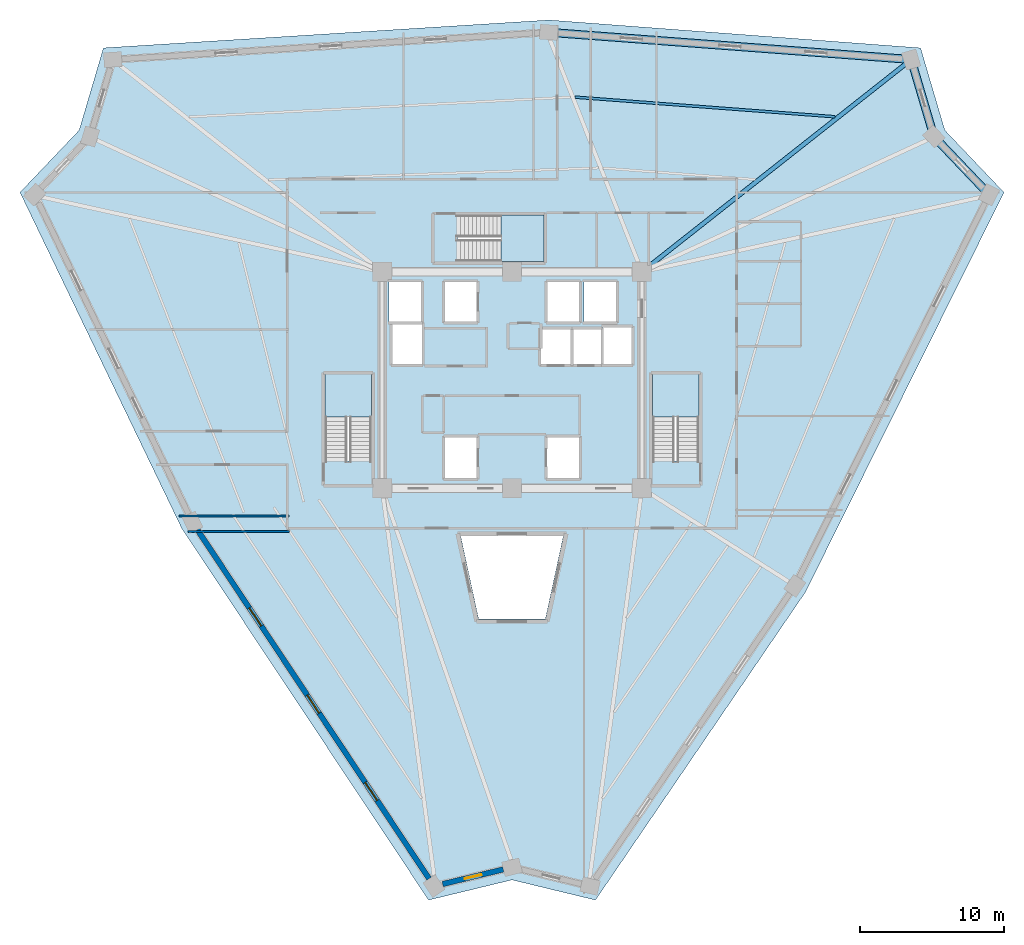
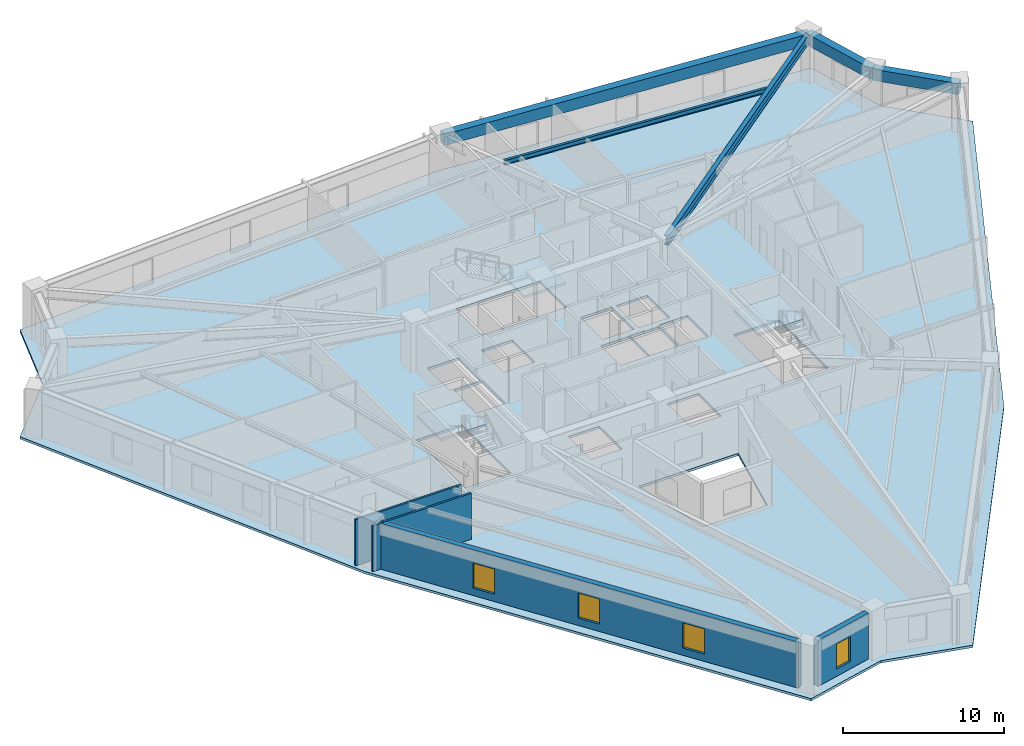
# One storey, part 2 of 9: 5 beams, 4 slabs, 4 walls, 4 windows, 4 openings, 3 elements without a shape of their own.
"""IFC4 building model written with IfcOpenShell, lengths in metres."""

from ifc_helpers import new_model, si_unit, direction, frame, frame_2d, origin, origin_2d, place, context, subcontext, project, spatial, polyline, rectangle, i_section, outline, extrude, source, transform, mapped, material, layer, layer_set, material_profile, profile_set, type_object, element, fill, aggregate, save


model = new_model("IFC4")

# Units and contexts
model_context = context("Model", 3, precision=1e-05, world=origin(), true_north=direction((0.0, 1.0)))
body_context = subcontext(model_context, "Body", "Model", "MODEL_VIEW")
ifc_project = project(units=[si_unit("LENGTHUNIT", "METRE"), si_unit("AREAUNIT", "SQUARE_METRE"), si_unit("VOLUMEUNIT", "CUBIC_METRE"), si_unit("PLANEANGLEUNIT", "RADIAN"), si_unit("MASSUNIT", "GRAM", prefix="KILO")], contexts=[model_context])

# Site, building, storey
site_placement = place(None, origin())
site = spatial("IfcSite", under=ifc_project, at=site_placement, CompositionType="ELEMENT")
building_placement = place(site_placement, origin())
building = spatial("IfcBuilding", under=site, at=building_placement, Name="Liaohun Quay Tower", CompositionType="ELEMENT")
storey_placement = place(building_placement, frame((0.0, 0.0, 228.0)))
storey = spatial("IfcBuildingStorey", under=building, at=storey_placement, Name="L59", CompositionType="ELEMENT", Elevation=228.0)

# Beams
ifc_material_1 = material(Name="Precast concrete C50", Category="concrete")
ifc_material_profile_1 = material_profile(ifc_material_1, rectangle(XDim=0.550048828125, YDim=0.85009765625, at=origin_2d()), Name="RC550x850")
ifc_profile_set_1 = profile_set([ifc_material_profile_1], Name="Precast concrete C50")
beam_type_1 = type_object("IfcBeamType", Name="BM-SPD-Z3", PredefinedType="SPANDREL", material=ifc_profile_set_1)
shared_shape_1 = source(origin(), body_context, "Body", "SweptSolid", [
    extrude(rectangle(XDim=0.550048828125, YDim=0.85009765625, at=origin_2d()), origin(), (0.0, 0.0, 1.0), 25.177490234375),
])
beam_1_placement = place(storey_placement, frame((62.5419921875, 78.091064453125, 3.044921875), z_axis=(0.997196307848, -0.074829964679, 0.0), x_axis=(0.074829964679, 0.997196307848, 0.0)))
element("IfcBeam", 1, at=beam_1_placement, inside=storey, type_object=beam_type_1, Name="L59 Precast Spandrel Beam PC06-PC07", PredefinedType="SPANDREL", context=body_context, shape_type="MappedRepresentation", body=[
    mapped(shared_shape_1, transform((0.0, 0.0, 0.0), x_axis=(1.0, 0.0, 0.0), y_axis=(0.0, 1.0, 0.0), z_axis=(0.0, 0.0, 1.0), scale=1.0)),
])
shared_shape_2 = source(origin(), body_context, "Body", "SweptSolid", [
    extrude(rectangle(XDim=0.550048828125, YDim=0.85009765625, at=origin_2d()), origin(), (0.0, 0.0, 1.0), 5.56298828125),
])
beam_2_placement = place(storey_placement, frame((87.64892578125, 76.20703125, 3.044921875), z_axis=(0.282762654748, -0.959189908767, 0.0), x_axis=(0.959189908767, 0.282762654748, 0.0)))
element("IfcBeam", 2, at=beam_2_placement, inside=storey, type_object=beam_type_1, Name="L59 Precast Spandrel Beam PC07-PC08", PredefinedType="SPANDREL", context=body_context, shape_type="MappedRepresentation", body=[
    mapped(shared_shape_2, transform((0.0, 0.0, 0.0), x_axis=(1.0, 0.0, 0.0), y_axis=(0.0, 1.0, 0.0), z_axis=(0.0, 0.0, 1.0), scale=1.0)),
])
shared_shape_3 = source(origin(), body_context, "Body", "SweptSolid", [
    extrude(rectangle(XDim=0.550048828125, YDim=0.85009765625, at=origin_2d()), origin(), (0.0, 0.0, 1.0), 5.555419921875),
])
beam_3_placement = place(storey_placement, frame((89.221923828125, 70.87109375, 3.044921875), z_axis=(0.68924246321, -0.724530763259, 0.0), x_axis=(0.724530763259, 0.68924246321, 0.0)))
element("IfcBeam", 3, at=beam_3_placement, inside=storey, type_object=beam_type_1, Name="L59 Precast Spandrel Beam PC08-PC09", PredefinedType="SPANDREL", context=body_context, shape_type="MappedRepresentation", body=[
    mapped(shared_shape_3, transform((0.0, 0.0, 0.0), x_axis=(1.0, 0.0, 0.0), y_axis=(0.0, 1.0, 0.0), z_axis=(0.0, 0.0, 1.0), scale=1.0)),
])
ifc_material_2 = material(Name="Steel Q355D", Category="steel")
ifc_material_profile_2 = material_profile(ifc_material_2, i_section(OverallWidth=0.300048828125, OverallDepth=0.699951171875, WebThickness=0.012939453125, FlangeThickness=0.02392578125, at=origin_2d()), Name="HN700x300x13x24")
ifc_profile_set_2 = profile_set([ifc_material_profile_2], Name="Steel Q355D")
beam_type_2 = type_object("IfcBeamType", Name="BM-RAD-U1", PredefinedType="BEAM", material=ifc_profile_set_2)
shared_shape_4 = source(origin(), body_context, "Body", "SweptSolid", [
    extrude(i_section(OverallWidth=0.300048828125, OverallDepth=0.699951171875, WebThickness=0.012939453125, FlangeThickness=0.02392578125, at=origin_2d()), origin(), (0.0, 0.0, 1.0), 23.406982421875),
])
beam_4_placement = place(storey_placement, frame((69.0, 61.5, 3.1201171875), z_axis=(0.785323092989, 0.619086132633, 0.0), x_axis=(-0.619086132633, 0.785323092989, 0.0)))
element("IfcBeam", 4, at=beam_4_placement, inside=storey, type_object=beam_type_2, Name="L59 Radial Primary Girder CC4-PC07", PredefinedType="BEAM", context=body_context, shape_type="MappedRepresentation", body=[
    mapped(shared_shape_4, transform((0.0, 0.0, 0.0), x_axis=(1.0, 0.0, 0.0), y_axis=(0.0, 1.0, 0.0), z_axis=(0.0, 0.0, 1.0), scale=1.0)),
])
ifc_material_profile_3 = material_profile(ifc_material_2, i_section(OverallWidth=0.175048828125, OverallDepth=0.35009765625, WebThickness=0.007080078125, FlangeThickness=0.010986328125, at=origin_2d()), Name="HN350x175x7x11")
ifc_profile_set_3 = profile_set([ifc_material_profile_3], Name="Steel Q355D")
beam_type_3 = type_object("IfcBeamType", Name="BM-SEC-J3", PredefinedType="JOIST", material=ifc_profile_set_3)
shared_shape_5 = source(origin(), body_context, "Body", "SweptSolid", [
    extrude(i_section(OverallWidth=0.175048828125, OverallDepth=0.35009765625, WebThickness=0.007080078125, FlangeThickness=0.010986328125, at=origin_2d()), origin(), (0.0, 0.0, 1.0), 18.063232421875),
])
beam_5_placement = place(storey_placement, frame((64.3701171875, 73.60009765625, 3.294921875), z_axis=(0.997161153395, -0.075296973116, 0.0), x_axis=(0.075296973116, 0.997161153395, 0.0)))
element("IfcBeam", 5, at=beam_5_placement, inside=storey, type_object=beam_type_3, Name="L59 Wing Secondary Floor Joist SJ-09", PredefinedType="JOIST", context=body_context, shape_type="MappedRepresentation", body=[
    mapped(shared_shape_5, transform((0.0, 0.0, 0.0), x_axis=(1.0, 0.0, 0.0), y_axis=(0.0, 1.0, 0.0), z_axis=(0.0, 0.0, 1.0), scale=1.0)),
])

# Stair, slab
ifc_material_3 = material(Name="Concrete C45", Category="concrete")
stair_type = type_object("IfcStairType", Name="STR-CORE-OFF", PredefinedType="HALF_TURN_STAIR", material=ifc_material_3)
stair_1_placement = place(storey_placement, origin())
stair_1 = element("IfcStair", 6, at=stair_1_placement, inside=storey, type_object=stair_type, Name="L59 Smokeproof Core Exit Stair ST-1", PredefinedType="HALF_TURN_STAIR")
ifc_layer_1 = layer(ifc_material_3, 0.199951171875, Name="Concrete C45", Category="concrete")
ifc_layer_set_1 = layer_set([ifc_layer_1], Name="Concrete C45")
slab_type_1 = type_object("IfcSlabType", Name="SLB-LND-200", PredefinedType="LANDING", material=ifc_layer_set_1)
slab_1_placement = place(storey_placement, frame((0.0, 0.0, 1.675048828125)))
slab_1 = element("IfcSlab", 7, at=slab_1_placement, type_object=slab_type_1, Name="ST-1 landing 1", PredefinedType="LANDING", context=body_context, shape_type="SweptSolid", body=[
    extrude(outline(polyline([(50.280029296875, 51.429931640625), (50.280029296875, 54.419921875), (47.0400390625, 54.419921875), (47.0400390625, 51.429931640625), (50.280029296875, 51.429931640625)])), origin(), (0.0, 0.0, 1.0), 0.199951171875),
])
aggregate(stair_1, [slab_1])

stair_2_placement = place(storey_placement, origin())
stair_2 = element("IfcStair", 8, at=stair_2_placement, inside=storey, type_object=stair_type, Name="L59 Smokeproof Core Exit Stair ST-2", PredefinedType="HALF_TURN_STAIR")
slab_2_placement = place(storey_placement, frame((0.0, 0.0, 1.675048828125)))
slab_2 = element("IfcSlab", 9, at=slab_2_placement, type_object=slab_type_1, Name="ST-2 landing 1", PredefinedType="LANDING", context=body_context, shape_type="SweptSolid", body=[
    extrude(outline(polyline([(72.9599609375, 51.429931640625), (72.9599609375, 54.419921875), (69.719970703125, 54.419921875), (69.719970703125, 51.429931640625), (72.9599609375, 51.429931640625)])), origin(), (0.0, 0.0, 1.0), 0.199951171875),
])
aggregate(stair_2, [slab_2])

stair_3_placement = place(storey_placement, origin())
stair_3 = element("IfcStair", 10, at=stair_3_placement, inside=storey, type_object=stair_type, Name="L59 Smokeproof Core Exit Stair ST-3", PredefinedType="HALF_TURN_STAIR")
slab_3_placement = place(storey_placement, frame((0.0, 0.0, 1.675048828125)))
slab_3 = element("IfcSlab", 11, at=slab_3_placement, type_object=slab_type_1, Name="ST-3 landing 1", PredefinedType="LANDING", context=body_context, shape_type="SweptSolid", body=[
    extrude(outline(polyline([(59.22998046875, 62.199951171875), (62.219970703125, 62.199951171875), (62.219970703125, 65.43994140625), (59.22998046875, 65.43994140625), (59.22998046875, 62.199951171875)])), origin(), (0.0, 0.0, 1.0), 0.199951171875),
])
aggregate(stair_3, [slab_3])

# Slab
ifc_layer_2 = layer(ifc_material_3, 0.179931640625, Name="Concrete C45", Category="concrete")
ifc_layer_set_2 = layer_set([ifc_layer_2], Name="Concrete C45")
slab_type_2 = type_object("IfcSlabType", Name="SLB-OFF-180", PredefinedType="FLOOR", material=ifc_layer_set_2)
slab_4_placement = place(storey_placement, frame((0.0, 0.0, -0.179931640625)))
element("IfcSlab", 12, at=slab_4_placement, inside=storey, type_object=slab_type_2, Name="L59 Structural Floor Slab", PredefinedType="FLOOR", context=body_context, shape_type="SweptSolid", body=[
    extrude(outline(polyline([(54.220947265625, 17.987060546875), (60.0, 19.383056640625), (65.779052734375, 17.987060546875), (80.327880859375, 39.322998046875), (94.076904296875, 67.0009765625), (89.97900390625, 71.30810546875), (88.298095703125, 77.010986328125), (62.547119140625, 78.943115234375), (31.701904296875, 77.010986328125), (30.02099609375, 71.30810546875), (25.923095703125, 67.0009765625), (37.125, 43.73388671875), (54.220947265625, 17.987060546875)]), holes=[polyline([(63.552978515625, 43.199951171875), (56.447021484375, 43.199951171875), (57.69091796875, 37.447021484375), (62.30908203125, 37.447021484375), (63.552978515625, 43.199951171875)]), polyline([(57.56005859375, 47.2099609375), (57.56005859375, 50.030029296875), (55.340087890625, 50.030029296875), (55.340087890625, 47.2099609375), (57.56005859375, 47.2099609375)]), polyline([(50.280029296875, 54.419921875), (47.0400390625, 54.419921875), (47.0400390625, 48.409912109375), (50.280029296875, 48.409912109375), (50.280029296875, 54.419921875)]), polyline([(53.760009765625, 55.090087890625), (53.760009765625, 57.909912109375), (51.7099609375, 57.909912109375), (51.7099609375, 55.090087890625), (53.760009765625, 55.090087890625)]), polyline([(53.7099609375, 58.0400390625), (53.7099609375, 60.7900390625), (51.489990234375, 60.7900390625), (51.489990234375, 58.0400390625), (53.7099609375, 58.0400390625)]), polyline([(57.56005859375, 58.0400390625), (57.56005859375, 60.7900390625), (55.340087890625, 60.7900390625), (55.340087890625, 58.0400390625), (57.56005859375, 58.0400390625)]), polyline([(62.219970703125, 62.199951171875), (62.219970703125, 65.43994140625), (56.2099609375, 65.43994140625), (56.2099609375, 62.199951171875), (62.219970703125, 62.199951171875)]), polyline([(64.659912109375, 50.030029296875), (62.43994140625, 50.030029296875), (62.43994140625, 47.2099609375), (64.659912109375, 47.2099609375), (64.659912109375, 50.030029296875)]), polyline([(72.9599609375, 54.419921875), (69.719970703125, 54.419921875), (69.719970703125, 48.409912109375), (72.9599609375, 48.409912109375), (72.9599609375, 54.419921875)]), polyline([(64.06005859375, 55.090087890625), (64.06005859375, 57.510009765625), (61.989990234375, 57.510009765625), (61.989990234375, 55.090087890625), (64.06005859375, 55.090087890625)]), polyline([(66.159912109375, 55.090087890625), (66.159912109375, 57.510009765625), (64.090087890625, 57.510009765625), (64.090087890625, 55.090087890625), (66.159912109375, 55.090087890625)]), polyline([(68.2900390625, 55.090087890625), (68.2900390625, 57.659912109375), (66.2900390625, 57.659912109375), (66.2900390625, 55.090087890625), (68.2900390625, 55.090087890625)]), polyline([(64.659912109375, 58.0400390625), (64.659912109375, 60.7900390625), (62.43994140625, 60.7900390625), (62.43994140625, 58.0400390625), (64.659912109375, 58.0400390625)]), polyline([(67.2099609375, 58.0400390625), (67.2099609375, 60.7900390625), (64.989990234375, 60.7900390625), (64.989990234375, 58.0400390625), (67.2099609375, 58.0400390625)])]), origin(), (0.0, 0.0, 1.0), 0.179931640625),
])

# Wall, openings, windows
ifc_material_4 = material(Name="Precast concrete C50 insulated sandwich", Category="concrete")
ifc_layer_3 = layer(ifc_material_4, 0.3798828125, Name="Precast concrete C50 insulated sandwich", Category="concrete")
ifc_layer_set_3 = layer_set([ifc_layer_3], Name="Precast concrete C50 insulated sandwich")
wall_type_1 = type_object("IfcWallType", Name="WAL-EXT-Z34", PredefinedType="SOLIDWALL", material=ifc_layer_set_3)
wall_1_placement = place(storey_placement, frame((38.205078125, 43.64306640625, 0.0), z_axis=(0.0, 0.0, 1.0), x_axis=(0.553179293126, -0.83306222436, 0.0)))
wall_1 = element("IfcWall", 13, at=wall_1_placement, inside=storey, type_object=wall_type_1, Name="L59 Brutalist Precast Pier Wall 11", PredefinedType="SOLIDWALL", context=body_context, shape_type="SweptSolid", body=[
    extrude(rectangle(XDim=29.02294921875, YDim=0.3798828125, at=frame_2d((14.511474609375, 0.0))), origin(), (0.0, 0.0, 1.0), 3.469970703125),
])
shared_shape_6 = source(origin(), body_context, "Body", "SweptSolid", [
    extrude(rectangle(XDim=1.5, YDim=1.89990234375, at=frame_2d((0.75, 0.949951171875))), frame((0.0, 0.199951171875, 0.0), z_axis=(0.0, -1.0, 0.0), x_axis=(1.0, 0.0, 0.0)), (0.0, 0.0, 1.0), 0.39990234375),
])
opening_1_placement = place(wall_1_placement, frame((6.506103515625, 0.0, 0.550048828125)))
opening_1 = element("IfcOpeningElement", 14, at=opening_1_placement, cuts=wall_1, Name="Opening W03", PredefinedType="OPENING", context=body_context, shape_type="MappedRepresentation", body=[
    mapped(shared_shape_6, transform((0.0, 0.0, 0.0), x_axis=(1.0, 0.0, 0.0), y_axis=(0.0, 1.0, 0.0), z_axis=(0.0, 0.0, 1.0), scale=1.0)),
])
opening_2_placement = place(wall_1_placement, frame((13.761962890625, 0.0, 0.550048828125)))
opening_2 = element("IfcOpeningElement", 15, at=opening_2_placement, cuts=wall_1, Name="Opening W03", PredefinedType="OPENING", context=body_context, shape_type="MappedRepresentation", body=[
    mapped(shared_shape_6, transform((0.0, 0.0, 0.0), x_axis=(1.0, 0.0, 0.0), y_axis=(0.0, 1.0, 0.0), z_axis=(0.0, 0.0, 1.0), scale=1.0)),
])
opening_3_placement = place(wall_1_placement, frame((21.01708984375, 0.0, 0.550048828125)))
opening_3 = element("IfcOpeningElement", 16, at=opening_3_placement, cuts=wall_1, Name="Opening W03", PredefinedType="OPENING", context=body_context, shape_type="MappedRepresentation", body=[
    mapped(shared_shape_6, transform((0.0, 0.0, 0.0), x_axis=(1.0, 0.0, 0.0), y_axis=(0.0, 1.0, 0.0), z_axis=(0.0, 0.0, 1.0), scale=1.0)),
])
ifc_material_5 = material(Name="Triple Low-E argon glazing in thermally broken aluminium", Category="aluminium")
window_type_1 = type_object("IfcWindowType", Name="WIN-PUN-Z3", PartitioningType="DOUBLE_PANEL_VERTICAL", PredefinedType="WINDOW", material=ifc_material_5)
shared_shape_7 = source(origin(), body_context, "Body", "SweptSolid", [
    extrude(rectangle(XDim=1.5, YDim=1.89990234375, at=frame_2d((0.75, 0.949951171875))), frame((0.0, 0.030029296875, 0.0), z_axis=(0.0, -1.0, 0.0), x_axis=(1.0, 0.0, 0.0)), (0.0, 0.0, 1.0), 0.06005859375),
])
window_1_placement = place(opening_1_placement, origin())
window_1 = element("IfcWindow", 17, at=window_1_placement, inside=storey, type_object=window_type_1, Name="L59 Recessed Cold-Climate Punched Window 11-1", OverallHeight=1.89990234375, OverallWidth=1.5, PartitioningType="DOUBLE_PANEL_VERTICAL", PredefinedType="WINDOW", context=body_context, shape_type="MappedRepresentation", body=[
    mapped(shared_shape_7, transform((0.0, 0.0, 0.0), x_axis=(1.0, 0.0, 0.0), y_axis=(0.0, 1.0, 0.0), z_axis=(0.0, 0.0, 1.0), scale=1.0)),
])
fill(opening_1, window_1)
window_2_placement = place(opening_2_placement, origin())
window_2 = element("IfcWindow", 18, at=window_2_placement, inside=storey, type_object=window_type_1, Name="L59 Recessed Cold-Climate Punched Window 11-2", OverallHeight=1.89990234375, OverallWidth=1.5, PartitioningType="DOUBLE_PANEL_VERTICAL", PredefinedType="WINDOW", context=body_context, shape_type="MappedRepresentation", body=[
    mapped(shared_shape_7, transform((0.0, 0.0, 0.0), x_axis=(1.0, 0.0, 0.0), y_axis=(0.0, 1.0, 0.0), z_axis=(0.0, 0.0, 1.0), scale=1.0)),
])
fill(opening_2, window_2)
window_3_placement = place(opening_3_placement, origin())
window_3 = element("IfcWindow", 19, at=window_3_placement, inside=storey, type_object=window_type_1, Name="L59 Recessed Cold-Climate Punched Window 11-3", OverallHeight=1.89990234375, OverallWidth=1.5, PartitioningType="DOUBLE_PANEL_VERTICAL", PredefinedType="WINDOW", context=body_context, shape_type="MappedRepresentation", body=[
    mapped(shared_shape_7, transform((0.0, 0.0, 0.0), x_axis=(1.0, 0.0, 0.0), y_axis=(0.0, 1.0, 0.0), z_axis=(0.0, 0.0, 1.0), scale=1.0)),
])
fill(opening_3, window_3)

# Wall, opening, window
wall_2_placement = place(storey_placement, frame((55.197998046875, 19.096923828125, 0.0), z_axis=(0.0, 0.0, 1.0), x_axis=(0.972012019022, 0.234931127943, 0.0)))
wall_2 = element("IfcWall", 20, at=wall_2_placement, inside=storey, type_object=wall_type_1, Name="L59 Brutalist Precast Pier Wall 12", PredefinedType="SOLIDWALL", context=body_context, shape_type="SweptSolid", body=[
    extrude(rectangle(XDim=4.3251953125, YDim=0.3798828125, at=frame_2d((2.16259765625, 0.0))), origin(), (0.0, 0.0, 1.0), 3.469970703125),
])
shared_shape_8 = source(origin(), body_context, "Body", "SweptSolid", [
    extrude(rectangle(XDim=1.199951171875, YDim=1.89990234375, at=frame_2d((0.60009765625, 0.949951171875))), frame((0.0, 0.199951171875, 0.0), z_axis=(0.0, -1.0, 0.0), x_axis=(1.0, 0.0, 0.0)), (0.0, 0.0, 1.0), 0.39990234375),
])
opening_4_placement = place(wall_2_placement, frame((1.56298828125, 0.0, 0.550048828125)))
opening_4 = element("IfcOpeningElement", 21, at=opening_4_placement, cuts=wall_2, Name="Opening W05", PredefinedType="OPENING", context=body_context, shape_type="MappedRepresentation", body=[
    mapped(shared_shape_8, transform((0.0, 0.0, 0.0), x_axis=(1.0, 0.0, 0.0), y_axis=(0.0, 1.0, 0.0), z_axis=(0.0, 0.0, 1.0), scale=1.0)),
])
ifc_material_6 = material(Name="Triple Low-E corner notch glazing", Category="glass")
window_type_2 = type_object("IfcWindowType", Name="WIN-NOTCH", PartitioningType="SINGLE_PANEL", PredefinedType="WINDOW", material=ifc_material_6)
shared_shape_9 = source(origin(), body_context, "Body", "SweptSolid", [
    extrude(rectangle(XDim=1.199951171875, YDim=1.89990234375, at=frame_2d((0.60009765625, 0.949951171875))), frame((0.0, 0.030029296875, 0.0), z_axis=(0.0, -1.0, 0.0), x_axis=(1.0, 0.0, 0.0)), (0.0, 0.0, 1.0), 0.06005859375),
])
window_4_placement = place(opening_4_placement, origin())
window_4 = element("IfcWindow", 22, at=window_4_placement, inside=storey, type_object=window_type_2, Name="L59 Corner Notch Window W05-12", OverallHeight=1.89990234375, OverallWidth=1.199951171875, PartitioningType="SINGLE_PANEL", PredefinedType="WINDOW", context=body_context, shape_type="MappedRepresentation", body=[
    mapped(shared_shape_9, transform((0.0, 0.0, 0.0), x_axis=(1.0, 0.0, 0.0), y_axis=(0.0, 1.0, 0.0), z_axis=(0.0, 0.0, 1.0), scale=1.0)),
])
fill(opening_4, window_4)

# Walls
ifc_material_7 = material(Name="Gypsum board on twin steel studs", Category="steel")
ifc_layer_4 = layer(ifc_material_7, 0.139892578125, Name="Gypsum board on twin steel studs", Category="steel")
ifc_layer_set_4 = layer_set([ifc_layer_4], Name="Gypsum board on twin steel studs")
wall_type_2 = type_object("IfcWallType", Name="WAL-PRT-OFF", PredefinedType="PARTITIONING", material=ifc_layer_set_4)
wall_3_placement = place(storey_placement, frame((44.60009765625, 43.5, 0.0), z_axis=(0.0, 0.0, 1.0), x_axis=(-1.0, 0.0, 0.0)))
element("IfcWall", 23, at=wall_3_placement, inside=storey, type_object=wall_type_2, Name="L59 Interior Partition Wall 046", PredefinedType="PARTITIONING", context=body_context, shape_type="SweptSolid", body=[
    extrude(rectangle(XDim=7.05615234375, YDim=0.139892578125, at=frame_2d((3.528076171875, 0.0))), origin(), (0.0, 0.0, 1.0), 3.469970703125),
])
wall_4_placement = place(storey_placement, frame((44.5400390625, 44.60009765625, 0.0), z_axis=(0.0, 0.0, 1.0), x_axis=(-1.0, 0.0, 0.0)))
element("IfcWall", 24, at=wall_4_placement, inside=storey, type_object=wall_type_2, Name="L59 Interior Partition Wall 047", PredefinedType="PARTITIONING", context=body_context, shape_type="SweptSolid", body=[
    extrude(rectangle(XDim=7.588134765625, YDim=0.139892578125, at=frame_2d((3.7939453125, 0.0))), origin(), (0.0, 0.0, 1.0), 3.469970703125),
])

save(model, "model.ifc")
